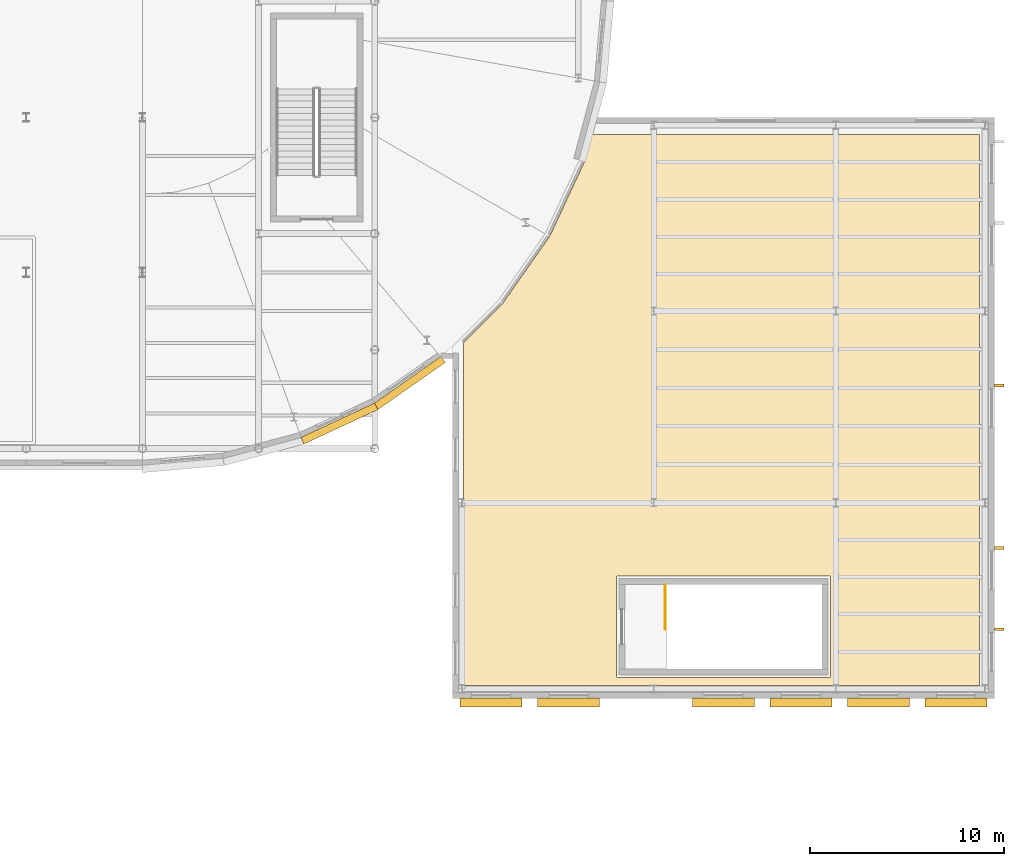
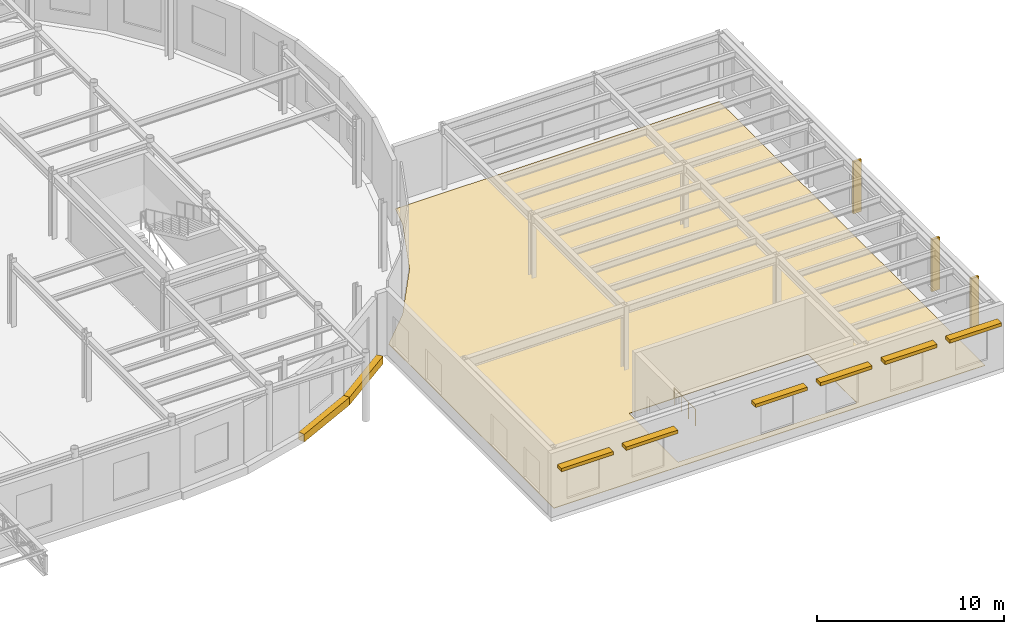
# One storey, part 89 of 91: 9 shading devices, 3 coverings, 1 railing.
"""IFC4 building model written with IfcOpenShell, lengths in metres."""

from ifc_helpers import new_model, si_unit, direction, frame, origin, origin_2d, place, context, subcontext, project, spatial, polyline, rectangle, circle, outline, extrude, material, layer, layer_set, type_object, element, save


model = new_model("IFC4")

# Units and contexts
model_context = context("Model", 3, precision=1e-05, world=origin(), true_north=direction((0.0, 1.0)))
body_context = subcontext(model_context, "Body", "Model", "MODEL_VIEW")
ifc_project = project(units=[si_unit("LENGTHUNIT", "METRE"), si_unit("AREAUNIT", "SQUARE_METRE"), si_unit("VOLUMEUNIT", "CUBIC_METRE"), si_unit("PLANEANGLEUNIT", "RADIAN"), si_unit("MASSUNIT", "GRAM", prefix="KILO")], contexts=[model_context])

# Site, building, storey
site_placement = place(None, origin())
site = spatial("IfcSite", under=ifc_project, at=site_placement, CompositionType="ELEMENT")
building_placement = place(site_placement, origin())
building = spatial("IfcBuilding", under=site, at=building_placement, Name="Kolvaren Corner Interchange", CompositionType="ELEMENT")
storey_placement = place(building_placement, frame((0.0, 0.0, 6.0)))
storey = spatial("IfcBuildingStorey", under=building, at=storey_placement, Name="L02", CompositionType="ELEMENT", Elevation=6.0)

# Coverings
ifc_material_1 = material(Name="Polished Niger Delta Granite Terrazzo Flooring", Category="masonry")
ifc_layer_1 = layer(ifc_material_1, 0.030029296875)
ifc_layer_set_1 = layer_set([ifc_layer_1], Name="Polished Niger Delta Granite Terrazzo Flooring")
covering_type_1 = type_object("IfcCoveringType", Name="COV-FLR-TER30", PredefinedType="FLOORING", material=ifc_layer_set_1)
covering_1_placement = place(storey_placement, origin())
element("IfcCovering", 1, at=covering_1_placement, inside=storey, type_object=covering_type_1, Name="L02 Bus Dispatch and Passenger Lounge Floor Finish", PredefinedType="FLOORING", context=body_context, shape_type="SweptSolid", body=[
    extrude(outline(polyline([(163.219970703125, 12.679931640625), (163.219970703125, 41.1201171875), (143.19775390625, 41.1201171875), (142.81591796875, 39.69580078125), (141.027099609375, 35.860107421875), (138.599609375, 32.39306640625), (136.580078125, 30.373291015625), (136.580078125, 12.679931640625), (163.219970703125, 12.679931640625)]), holes=[polyline([(155.506591796875, 13.093505859375), (155.449951171875, 13.070068359375), (144.519287109375, 13.076171875), (144.4833984375, 13.105712890625), (144.469970703125, 13.14990234375), (144.47607421875, 18.280517578125), (144.505615234375, 18.31640625), (144.550048828125, 18.330078125), (155.480712890625, 18.323974609375), (155.5166015625, 18.29443359375), (155.530029296875, 18.25), (155.530029296875, 13.14990234375), (155.506591796875, 13.093505859375)])]), origin(), (0.0, 0.0, 1.0), 0.030029296875),
])
ifc_material_2 = material(Name="Glazed White Terracotta Fascia Cladding", Category="masonry")
ifc_layer_2 = layer(ifc_material_2, 0.0400390625)
ifc_layer_set_2 = layer_set([ifc_layer_2], Name="Glazed White Terracotta Fascia Cladding")
covering_type_2 = type_object("IfcCoveringType", Name="COV-WHT-CLAD40", PredefinedType="CLADDING", material=ifc_layer_set_2)
covering_2_placement = place(storey_placement, frame((0.0, 0.0, -0.320068359375)))
element("IfcCovering", 2, at=covering_2_placement, inside=storey, type_object=covering_type_2, Name="Racetrack East L02 Sweeping White Edge Band 03", PredefinedType="CLADDING", context=body_context, shape_type="SweptSolid", body=[
    extrude(outline(polyline([(128.19482421875, 25.485107421875), (128.32470703125, 25.1279296875), (132.169921875, 26.9208984375), (131.97998046875, 27.25), (128.19482421875, 25.485107421875)])), origin(), (0.0, 0.0, 1.0), 0.5),
])
covering_3_placement = place(storey_placement, frame((0.0, 0.0, -0.320068359375)))
element("IfcCovering", 3, at=covering_3_placement, inside=storey, type_object=covering_type_2, Name="Racetrack East L02 Sweeping White Edge Band 04", PredefinedType="CLADDING", context=body_context, shape_type="SweptSolid", body=[
    extrude(outline(polyline([(131.97998046875, 27.25), (132.169921875, 26.9208984375), (135.6455078125, 29.3544921875), (135.401123046875, 29.6455078125), (131.97998046875, 27.25)])), origin(), (0.0, 0.0, 1.0), 0.5),
])

# Railing
ifc_material_3 = material(Name="Powder-Coated Steel Stairwell Guardrail", Category="steel")
railing_type = type_object("IfcRailingType", Name="RLT-STAIR-GRD1120", PredefinedType="GUARDRAIL", material=ifc_material_3)
railing_placement = place(storey_placement, frame((146.989990234375, 17.840087890625, 0.0)))
element("IfcRailing", 4, at=railing_placement, inside=storey, type_object=railing_type, Name="Bus Dispatch Lounge Exit Stair L02 Landing Edge Guardrail", PredefinedType="GUARDRAIL", context=body_context, shape_type="SweptSolid", body=[
    extrude(circle(Radius=0.02392578125, at=origin_2d()), frame((0.0, 0.0, 1.09619140625), z_axis=(0.0, -1.0, 0.0), x_axis=(1.0, 0.0, 0.0)), (0.0, 0.0, 1.0), 2.280029296875),
    extrude(circle(Radius=0.02001953125, at=origin_2d()), origin(), (0.0, 0.0, 1.0), 1.072021484375),
    extrude(circle(Radius=0.02001953125, at=origin_2d()), frame((0.0, -0.760009765625, 0.0)), (0.0, 0.0, 1.0), 1.072021484375),
    extrude(circle(Radius=0.02001953125, at=origin_2d()), frame((0.0, -1.52001953125, 0.0)), (0.0, 0.0, 1.0), 1.072021484375),
    extrude(circle(Radius=0.02001953125, at=origin_2d()), frame((0.0, -2.280029296875, 0.0)), (0.0, 0.0, 1.0), 1.072021484375),
])

# Shading devices
ifc_material_4 = material(Name="Glazed Ochre Ceramic Baguette Solar Louvre")
shading_device_type_1 = type_object("IfcShadingDeviceType", Name="SHD-BAG-H450", PredefinedType="JALOUSIE", material=ifc_material_4)
for number, where, z_axis, x_axis, name in (
    (5, (138.0, 11.7900390625, 3.1298828125), (0.0, 0.0, 1.0), (1.0, 0.0, 0.0), "L02 Ceramic Solar Shading 0306"),
    (6, (142.0, 11.7900390625, 3.1298828125), (0.0, 0.0, 1.0), (1.0, 0.0, 0.0), "L02 Ceramic Solar Shading 0307"),
    (7, (150.0, 11.7900390625, 3.1298828125), (0.0, 0.0, 1.0), (1.0, 0.0, 0.0), "L02 Ceramic Solar Shading 0308"),
    (8, (154.0, 11.7900390625, 3.1298828125), (0.0, 0.0, 1.0), (1.0, 0.0, 0.0), "L02 Ceramic Solar Shading 0309"),
    (9, (158.0, 11.7900390625, 3.1298828125), (0.0, 0.0, 1.0), (1.0, 0.0, 0.0), "L02 Ceramic Solar Shading 0310"),
    (10, (162.0, 11.7900390625, 3.1298828125), (0.0, 0.0, 1.0), (1.0, 0.0, 0.0), "L02 Ceramic Solar Shading 0311"),
):
    element("IfcShadingDevice", number, at=place(storey_placement, frame(where, z_axis=z_axis, x_axis=x_axis)), inside=storey, type_object=shading_device_type_1, Name=name, PredefinedType="JALOUSIE", context=body_context, shape_type="SweptSolid", body=[
        extrude(rectangle(XDim=3.199951171875, YDim=0.449951171875, at=origin_2d()), origin(), (0.0, 0.0, 1.0), 0.219970703125),
    ])
ifc_material_5 = material(Name="Vertical Terracotta Solar Fin", Category="masonry")
shading_device_type_2 = type_object("IfcShadingDeviceType", Name="SHD-FIN-V500", PredefinedType="USERDEFINED", material=ifc_material_5)
for number, where, z_axis, x_axis, name in (
    (11, (164.235107421875, 15.5771484375, 0.300048828125), (0.0, 0.0, 1.0), (0.0, 1.0, 0.0), "L02 Ceramic Solar Shading 0312"),
    (12, (164.235107421875, 19.771484375, 0.300048828125), (0.0, 0.0, 1.0), (0.0, 1.0, 0.0), "L02 Ceramic Solar Shading 0313"),
    (13, (164.235107421875, 28.159912109375, 0.300048828125), (0.0, 0.0, 1.0), (0.0, 1.0, 0.0), "L02 Ceramic Solar Shading 0314"),
):
    element("IfcShadingDevice", number, at=place(storey_placement, frame(where, z_axis=z_axis, x_axis=x_axis)), inside=storey, type_object=shading_device_type_2, Name=name, ObjectType="SUNSHADE", PredefinedType="USERDEFINED", context=body_context, shape_type="SweptSolid", body=[
        extrude(rectangle(XDim=0.139892578125, YDim=0.5, at=origin_2d()), origin(), (0.0, 0.0, 1.0), 3.39990234375),
    ])

save(model, "model.ifc")
